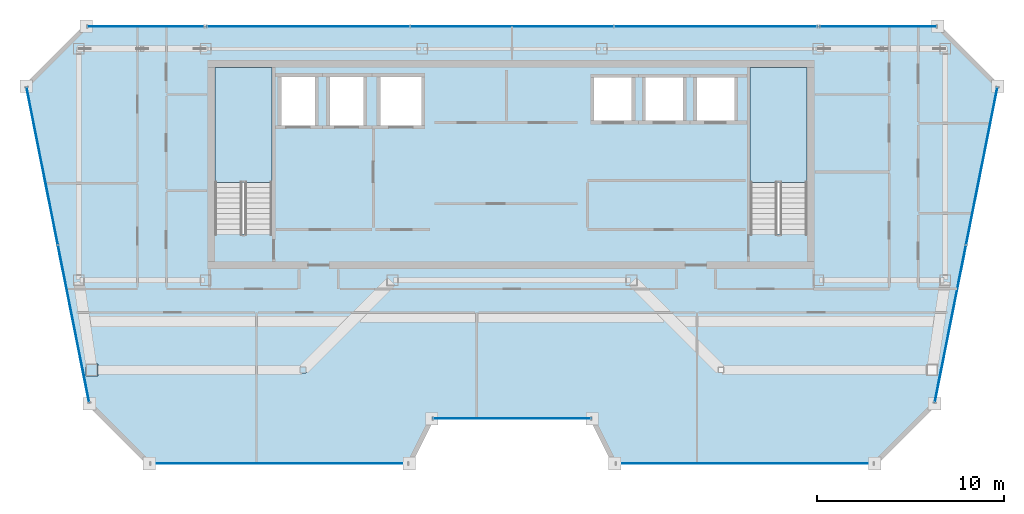
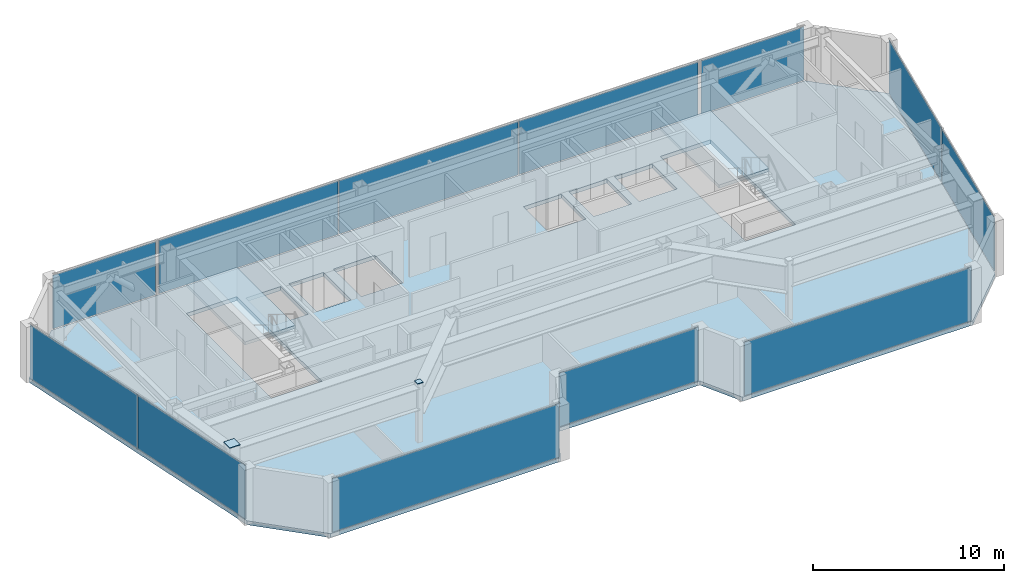
# One storey, part 18 of 24: 14 plates, 3 slabs, 10 elements without a shape of their own.
"""IFC4 building model written with IfcOpenShell, lengths in metres."""

from ifc_helpers import new_model, si_unit, direction, frame, origin, origin_2d, place, context, subcontext, project, spatial, polyline, rectangle, outline, extrude, material, layer, layer_set, type_object, element, aggregate, save


model = new_model("IFC4")

# Units and contexts
model_context = context("Model", 3, precision=1e-05, world=origin(), true_north=direction((0.0, 1.0)))
body_context = subcontext(model_context, "Body", "Model", "MODEL_VIEW")
ifc_project = project(units=[si_unit("LENGTHUNIT", "METRE"), si_unit("AREAUNIT", "SQUARE_METRE"), si_unit("VOLUMEUNIT", "CUBIC_METRE"), si_unit("PLANEANGLEUNIT", "RADIAN"), si_unit("MASSUNIT", "GRAM", prefix="KILO")], contexts=[model_context])

# Site, building, storey
site_placement = place(None, origin())
site = spatial("IfcSite", under=ifc_project, at=site_placement, CompositionType="ELEMENT")
building_placement = place(site_placement, origin())
building = spatial("IfcBuilding", under=site, at=building_placement, Name="Saevonmaru Cultural Tower", CompositionType="ELEMENT")
storey_placement = place(building_placement, frame((0.0, 0.0, 306.60009765625)))
storey = spatial("IfcBuildingStorey", under=building, at=storey_placement, Name="L73", CompositionType="ELEMENT", Elevation=306.60009765625)

# Plates
ifc_material_1 = material(Name="Steel HSA600 (600 MPa)", Category="steel")
ifc_layer_1 = layer(ifc_material_1, 0.0400390625, Name="Steel HSA600 (600 MPa)")
ifc_layer_set_1 = layer_set([ifc_layer_1], Name="Steel HSA600 (600 MPa)")
plate_type_1 = type_object("IfcPlateType", Name="PL-CAP-300", PredefinedType="USERDEFINED", material=ifc_layer_set_1)
plate_1_placement = place(storey_placement, frame((18.80810546875, 37.60009765625, 3.794921875), z_axis=(0.0, 0.0, 1.0), x_axis=(1.0, 0.0, 0.0)))
element("IfcPlate", 1, at=plate_1_placement, inside=storey, type_object=plate_type_1, Name="Column head cap plate TC-WI-Y376 L73", ObjectType="CAP_PLATE", PredefinedType="USERDEFINED", context=body_context, shape_type="SweptSolid", body=[
    extrude(rectangle(XDim=0.340087890625, YDim=0.340087890625, at=origin_2d()), origin(), (0.0, 0.0, 1.0), 0.0400390625),
])
ifc_layer_2 = layer(ifc_material_1, 0.0400390625, Name="Steel HSA600 (600 MPa)")
ifc_layer_set_2 = layer_set([ifc_layer_2], Name="Steel HSA600 (600 MPa)")
plate_type_2 = type_object("IfcPlateType", Name="PL-CAP-600", PredefinedType="USERDEFINED", material=ifc_layer_set_2)
plate_2_placement = place(storey_placement, frame((7.508056640625, 37.60009765625, 3.794921875), z_axis=(0.0, 0.0, 1.0), x_axis=(1.0, 0.0, 0.0)))
element("IfcPlate", 2, at=plate_2_placement, inside=storey, type_object=plate_type_2, Name="Column head cap plate TC-WO-Y376 L73", ObjectType="CAP_PLATE", PredefinedType="USERDEFINED", context=body_context, shape_type="SweptSolid", body=[
    extrude(rectangle(XDim=0.639892578125, YDim=0.639892578125, at=origin_2d()), origin(), (0.0, 0.0, 1.0), 0.0400390625),
])

# Curtain wall, plate
ifc_material_2 = material(Name="Satin Bronze Anodised Aluminium", Category="aluminium")
curtain_wall_type = type_object("IfcCurtainWallType", Name="CW-TYP-B", PredefinedType="NOTDEFINED", material=ifc_material_2)
curtain_wall_1_placement = place(storey_placement, origin())
curtain_wall_1 = element("IfcCurtainWall", 3, at=curtain_wall_1_placement, inside=storey, type_object=curtain_wall_type, Name="L73 Unitised Curtain Wall E2", PredefinedType="NOTDEFINED")
ifc_material_3 = material(Name="Triple Silver Low-E Insulating Glass", Category="glass")
ifc_layer_3 = layer(ifc_material_3, 0.035888671875, Name="Triple Silver Low-E Insulating Glass")
ifc_layer_set_3 = layer_set([ifc_layer_3], Name="Triple Silver Low-E Insulating Glass")
plate_type_3 = type_object("IfcPlateType", Name="PN-GLZ-IGU", PredefinedType="CURTAIN_PANEL", material=ifc_layer_set_3)
plate_3_placement = place(storey_placement, frame((17.5400390625, 32.60009765625, 0.06689453125), z_axis=(0.0, 0.0, 1.0), x_axis=(1.0, 0.0, 0.0)))
plate_3 = element("IfcPlate", 4, at=plate_3_placement, type_object=plate_type_3, Name="CW-TW-L73-E2 panel 1.1", PredefinedType="CURTAIN_PANEL", context=body_context, shape_type="SweptSolid", body=[
    extrude(rectangle(XDim=13.73095703125, YDim=0.035888671875, at=origin_2d()), origin(), (0.0, 0.0, 1.0), 3.416015625),
])
aggregate(curtain_wall_1, [plate_3])

curtain_wall_2_placement = place(storey_placement, origin())
curtain_wall_2 = element("IfcCurtainWall", 5, at=curtain_wall_2_placement, inside=storey, type_object=curtain_wall_type, Name="L73 Unitised Curtain Wall E4", PredefinedType="NOTDEFINED")
plate_4_placement = place(storey_placement, frame((30.0, 35.0, 0.06689453125), z_axis=(0.0, 0.0, 1.0), x_axis=(1.0, 0.0, 0.0)))
plate_4 = element("IfcPlate", 6, at=plate_4_placement, type_object=plate_type_3, Name="CW-TW-L73-E4 panel 1.1", PredefinedType="CURTAIN_PANEL", context=body_context, shape_type="SweptSolid", body=[
    extrude(rectangle(XDim=8.410888671875, YDim=0.035888671875, at=origin_2d()), origin(), (0.0, 0.0, 1.0), 3.416015625),
])
aggregate(curtain_wall_2, [plate_4])

curtain_wall_3_placement = place(storey_placement, origin())
curtain_wall_3 = element("IfcCurtainWall", 7, at=curtain_wall_3_placement, inside=storey, type_object=curtain_wall_type, Name="L73 Unitised Curtain Wall E6", PredefinedType="NOTDEFINED")
plate_5_placement = place(storey_placement, frame((42.4599609375, 32.60009765625, 0.06689453125), z_axis=(0.0, 0.0, 1.0), x_axis=(1.0, 0.0, 0.0)))
plate_5 = element("IfcPlate", 8, at=plate_5_placement, type_object=plate_type_3, Name="CW-TW-L73-E6 panel 1.1", PredefinedType="CURTAIN_PANEL", context=body_context, shape_type="SweptSolid", body=[
    extrude(rectangle(XDim=13.73095703125, YDim=0.035888671875, at=origin_2d()), origin(), (0.0, 0.0, 1.0), 3.416015625),
])
aggregate(curtain_wall_3, [plate_5])

# Curtain wall, plates
curtain_wall_4_placement = place(storey_placement, origin())
curtain_wall_4 = element("IfcCurtainWall", 9, at=curtain_wall_4_placement, inside=storey, type_object=curtain_wall_type, Name="L73 Unitised Curtain Wall E8", PredefinedType="NOTDEFINED")
plate_6_placement = place(storey_placement, frame((53.470947265625, 40.079345703125, 0.06689453125), z_axis=(0.0, 0.0, 1.0), x_axis=(0.195005484813, 0.980802151758, 0.0)))
plate_6 = element("IfcPlate", 10, at=plate_6_placement, type_object=plate_type_3, Name="CW-TW-L73-E8 panel 1.1", PredefinedType="CURTAIN_PANEL", context=body_context, shape_type="SweptSolid", body=[
    extrude(rectangle(XDim=8.537353515625, YDim=0.035888671875, at=origin_2d()), origin(), (0.0, 0.0, 1.0), 3.416015625),
])
plate_7_placement = place(storey_placement, frame((55.149169921875, 48.5205078125, 0.06689453125), z_axis=(0.0, 0.0, 1.0), x_axis=(0.195005484813, 0.980802151758, 0.0)))
plate_7 = element("IfcPlate", 11, at=plate_7_placement, type_object=plate_type_3, Name="CW-TW-L73-E8 panel 2.1", PredefinedType="CURTAIN_PANEL", context=body_context, shape_type="SweptSolid", body=[
    extrude(rectangle(XDim=8.537353515625, YDim=0.035888671875, at=origin_2d()), origin(), (0.0, 0.0, 1.0), 3.416015625),
])
aggregate(curtain_wall_4, [plate_6, plate_7])

curtain_wall_5_placement = place(storey_placement, origin())
curtain_wall_5 = element("IfcCurtainWall", 12, at=curtain_wall_5_placement, inside=storey, type_object=curtain_wall_type, Name="L73 North Spine Unitised Curtain Wall E10B", PredefinedType="NOTDEFINED")
plate_8_placement = place(storey_placement, frame((40.893310546875, 56.0, 0.06689453125), z_axis=(0.0, 0.0, 1.0), x_axis=(-1.0, 0.0, 0.0)))
plate_8 = element("IfcPlate", 13, at=plate_8_placement, type_object=plate_type_3, Name="CW-TW-L73-E10B panel 1.1", PredefinedType="CURTAIN_PANEL", context=body_context, shape_type="SweptSolid", body=[
    extrude(rectangle(XDim=10.82421875, YDim=0.035888671875, at=origin_2d()), origin(), (0.0, 0.0, 1.0), 3.416015625),
])
plate_9_placement = place(storey_placement, frame((30.0, 56.0, 0.06689453125), z_axis=(0.0, 0.0, 1.0), x_axis=(-1.0, 0.0, 0.0)))
plate_9 = element("IfcPlate", 14, at=plate_9_placement, type_object=plate_type_3, Name="CW-TW-L73-E10B panel 2.1", PredefinedType="CURTAIN_PANEL", context=body_context, shape_type="SweptSolid", body=[
    extrude(rectangle(XDim=10.82421875, YDim=0.035888671875, at=origin_2d()), origin(), (0.0, 0.0, 1.0), 3.416015625),
])
plate_10_placement = place(storey_placement, frame((19.106689453125, 56.0, 0.06689453125), z_axis=(0.0, 0.0, 1.0), x_axis=(-1.0, 0.0, 0.0)))
plate_10 = element("IfcPlate", 15, at=plate_10_placement, type_object=plate_type_3, Name="CW-TW-L73-E10B panel 3.1", PredefinedType="CURTAIN_PANEL", context=body_context, shape_type="SweptSolid", body=[
    extrude(rectangle(XDim=10.82421875, YDim=0.035888671875, at=origin_2d()), origin(), (0.0, 0.0, 1.0), 3.416015625),
])
aggregate(curtain_wall_5, [plate_8, plate_9, plate_10])

curtain_wall_6_placement = place(storey_placement, origin())
curtain_wall_6 = element("IfcCurtainWall", 16, at=curtain_wall_6_placement, inside=storey, type_object=curtain_wall_type, Name="L73 Unitised Curtain Wall E12", PredefinedType="NOTDEFINED")
plate_11_placement = place(storey_placement, frame((4.850830078125, 48.5205078125, 0.06689453125), z_axis=(0.0, 0.0, 1.0), x_axis=(0.195005484813, -0.980802151758, 0.0)))
plate_11 = element("IfcPlate", 17, at=plate_11_placement, type_object=plate_type_3, Name="CW-TW-L73-E12 panel 1.1", PredefinedType="CURTAIN_PANEL", context=body_context, shape_type="SweptSolid", body=[
    extrude(rectangle(XDim=8.537353515625, YDim=0.035888671875, at=origin_2d()), origin(), (0.0, 0.0, 1.0), 3.416015625),
])
plate_12_placement = place(storey_placement, frame((6.529052734375, 40.079345703125, 0.06689453125), z_axis=(0.0, 0.0, 1.0), x_axis=(0.195005484813, -0.980802151758, 0.0)))
plate_12 = element("IfcPlate", 18, at=plate_12_placement, type_object=plate_type_3, Name="CW-TW-L73-E12 panel 2.1", PredefinedType="CURTAIN_PANEL", context=body_context, shape_type="SweptSolid", body=[
    extrude(rectangle(XDim=8.537353515625, YDim=0.035888671875, at=origin_2d()), origin(), (0.0, 0.0, 1.0), 3.416015625),
])
aggregate(curtain_wall_6, [plate_11, plate_12])

# Curtain wall, plate
curtain_wall_7_placement = place(storey_placement, origin())
curtain_wall_7 = element("IfcCurtainWall", 19, at=curtain_wall_7_placement, inside=storey, type_object=curtain_wall_type, Name="L73 East Braced Bay Spandrel Curtain Wall E10A", PredefinedType="NOTDEFINED")
ifc_material_4 = material(Name="Insulated Satin Bronze Aluminium Spandrel Panel", Category="aluminium")
ifc_layer_4 = layer(ifc_material_4, 0.0400390625, Name="Insulated Satin Bronze Aluminium Spandrel Panel")
ifc_layer_set_4 = layer_set([ifc_layer_4], Name="Insulated Satin Bronze Aluminium Spandrel Panel")
plate_type_4 = type_object("IfcPlateType", Name="PN-SPANDREL-BRONZE", PredefinedType="CURTAIN_PANEL", material=ifc_layer_set_4)
plate_13_placement = place(storey_placement, frame((49.60009765625, 56.0, 0.06689453125), z_axis=(0.0, 0.0, 1.0), x_axis=(-1.0, 0.0, 0.0)))
plate_13 = element("IfcPlate", 20, at=plate_13_placement, type_object=plate_type_4, Name="CW-TW-L73-E10A panel 1.1", PredefinedType="CURTAIN_PANEL", context=body_context, shape_type="SweptSolid", body=[
    extrude(rectangle(XDim=6.2109375, YDim=0.035888671875, at=origin_2d()), origin(), (0.0, 0.0, 1.0), 3.416015625),
])
aggregate(curtain_wall_7, [plate_13])

curtain_wall_8_placement = place(storey_placement, origin())
curtain_wall_8 = element("IfcCurtainWall", 21, at=curtain_wall_8_placement, inside=storey, type_object=curtain_wall_type, Name="L73 West Braced Bay Spandrel Curtain Wall E10C", PredefinedType="NOTDEFINED")
plate_14_placement = place(storey_placement, frame((10.39990234375, 56.0, 0.06689453125), z_axis=(0.0, 0.0, 1.0), x_axis=(-1.0, 0.0, 0.0)))
plate_14 = element("IfcPlate", 22, at=plate_14_placement, type_object=plate_type_4, Name="CW-TW-L73-E10C panel 1.1", PredefinedType="CURTAIN_PANEL", context=body_context, shape_type="SweptSolid", body=[
    extrude(rectangle(XDim=6.2109375, YDim=0.035888671875, at=origin_2d()), origin(), (0.0, 0.0, 1.0), 3.416015625),
])
aggregate(curtain_wall_8, [plate_14])

# Slab
ifc_material_5 = material(Name="Concrete C40/50", Category="concrete")
ifc_layer_5 = layer(ifc_material_5, 0.25, Name="Concrete C40/50")
ifc_layer_set_5 = layer_set([ifc_layer_5], Name="Concrete C40/50")
slab_type_1 = type_object("IfcSlabType", Name="SL-FLR-250", PredefinedType="FLOOR", material=ifc_layer_set_5)
slab_1_placement = place(storey_placement, frame((0.0, 0.0, -0.25)))
element("IfcSlab", 23, at=slab_1_placement, inside=storey, type_object=slab_type_1, Name="L73 Tower Structural Floor Slab", PredefinedType="FLOOR", context=body_context, shape_type="SweptSolid", body=[
    extrude(outline(polyline([(7.3798828125, 35.800048828125), (10.580078125, 32.60009765625), (24.5, 32.60009765625), (25.699951171875, 35.0), (34.300048828125, 35.0), (35.5, 32.60009765625), (49.419921875, 32.60009765625), (52.6201171875, 35.800048828125), (56.0, 52.800048828125), (52.800048828125, 56.0), (7.199951171875, 56.0), (4.0, 52.800048828125), (7.3798828125, 35.800048828125)]), holes=[polyline([(45.800048828125, 53.800048828125), (45.800048828125, 44.875), (42.75, 44.875), (42.75, 53.800048828125), (45.800048828125, 53.800048828125)]), polyline([(42.050048828125, 50.800048828125), (39.75, 50.800048828125), (39.75, 53.39990234375), (42.050048828125, 53.39990234375), (42.050048828125, 50.800048828125)]), polyline([(39.300048828125, 50.800048828125), (37.0, 50.800048828125), (37.0, 53.39990234375), (39.300048828125, 53.39990234375), (39.300048828125, 50.800048828125)]), polyline([(36.550048828125, 50.800048828125), (34.25, 50.800048828125), (34.25, 53.39990234375), (36.550048828125, 53.39990234375), (36.550048828125, 50.800048828125)]), polyline([(25.300048828125, 50.550048828125), (22.800048828125, 50.550048828125), (22.800048828125, 53.449951171875), (25.300048828125, 53.449951171875), (25.300048828125, 50.550048828125)]), polyline([(22.199951171875, 50.550048828125), (20.10009765625, 50.550048828125), (20.10009765625, 53.449951171875), (22.199951171875, 53.449951171875), (22.199951171875, 50.550048828125)]), polyline([(19.60009765625, 50.550048828125), (17.5, 50.550048828125), (17.5, 53.449951171875), (19.60009765625, 53.449951171875), (19.60009765625, 50.550048828125)]), polyline([(17.14990234375, 53.800048828125), (17.14990234375, 44.875), (14.10009765625, 44.875), (14.10009765625, 53.800048828125), (17.14990234375, 53.800048828125)])]), origin(), (0.0, 0.0, 1.0), 0.25),
])

# Stair, slab
stair_type = type_object("IfcStairType", Name="STR-DOGLEG-RC", PredefinedType="HALF_TURN_STAIR", material=ifc_material_5)
stair_1_placement = place(storey_placement, origin())
stair_1 = element("IfcStair", 24, at=stair_1_placement, inside=storey, type_object=stair_type, Name="L73 Protected exit stair ST-1", PredefinedType="HALF_TURN_STAIR")
ifc_layer_6 = layer(ifc_material_5, 0.199951171875, Name="Concrete C40/50")
ifc_layer_set_6 = layer_set([ifc_layer_6], Name="Concrete C40/50")
slab_type_2 = type_object("IfcSlabType", Name="SL-STAIR-LANDING", PredefinedType="LANDING", material=ifc_layer_set_6)
slab_2_placement = place(storey_placement, frame((0.0, 0.0, 1.699951171875)))
slab_2 = element("IfcSlab", 25, at=slab_2_placement, type_object=slab_type_2, Name="ST-1-L73 landing 1", PredefinedType="LANDING", context=body_context, shape_type="SweptSolid", body=[
    extrude(outline(polyline([(17.14990234375, 47.64990234375), (17.14990234375, 53.800048828125), (14.10009765625, 53.800048828125), (14.10009765625, 47.64990234375), (17.14990234375, 47.64990234375)])), origin(), (0.0, 0.0, 1.0), 0.199951171875),
])
aggregate(stair_1, [slab_2])

stair_2_placement = place(storey_placement, origin())
stair_2 = element("IfcStair", 26, at=stair_2_placement, inside=storey, type_object=stair_type, Name="L73 Protected exit stair ST-2", PredefinedType="HALF_TURN_STAIR")
slab_3_placement = place(storey_placement, frame((0.0, 0.0, 1.699951171875)))
slab_3 = element("IfcSlab", 27, at=slab_3_placement, type_object=slab_type_2, Name="ST-2-L73 landing 1", PredefinedType="LANDING", context=body_context, shape_type="SweptSolid", body=[
    extrude(outline(polyline([(45.800048828125, 47.64990234375), (45.800048828125, 53.800048828125), (42.75, 53.800048828125), (42.75, 47.64990234375), (45.800048828125, 47.64990234375)])), origin(), (0.0, 0.0, 1.0), 0.199951171875),
])
aggregate(stair_2, [slab_3])

save(model, "model.ifc")
